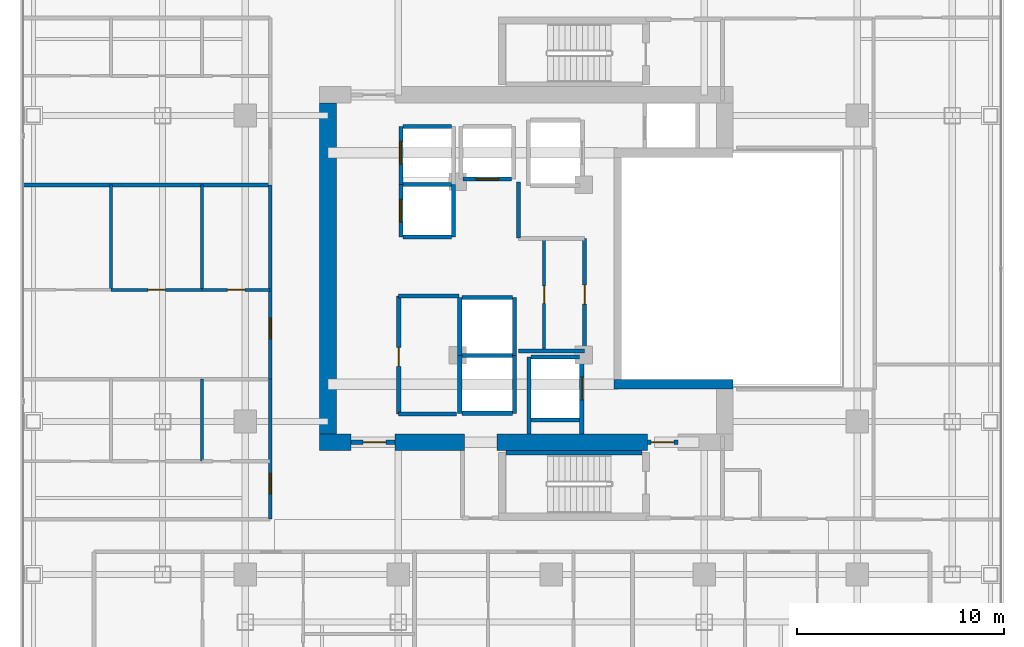
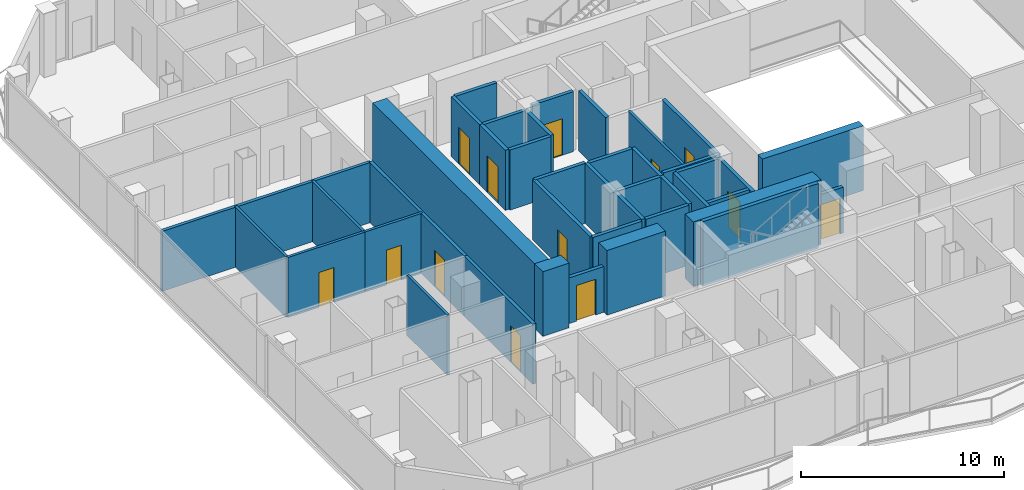
# One storey, part 20 of 26: 41 walls, 13 doors, 13 openings.
"""IFC4 building model written with IfcOpenShell, lengths in metres."""

from ifc_helpers import new_model, si_unit, direction, frame, frame_2d, origin, place, context, subcontext, project, spatial, rectangle, extrude, material, layer, layer_set, type_object, element, fill, save


model = new_model("IFC4")

# Units and contexts
model_context = context("Model", 3, precision=1e-05, world=origin(), true_north=direction((0.0, 1.0)))
body_context = subcontext(model_context, "Body", "Model", "MODEL_VIEW")
ifc_project = project(units=[si_unit("LENGTHUNIT", "METRE"), si_unit("AREAUNIT", "SQUARE_METRE"), si_unit("VOLUMEUNIT", "CUBIC_METRE"), si_unit("PLANEANGLEUNIT", "RADIAN"), si_unit("MASSUNIT", "GRAM", prefix="KILO")], contexts=[model_context])

# Site, building, storey
site_placement = place(None, origin())
site = spatial("IfcSite", under=ifc_project, at=site_placement, CompositionType="ELEMENT")
building_placement = place(site_placement, origin())
building = spatial("IfcBuilding", under=site, at=building_placement, Name="Khorvyn Point Tower", CompositionType="ELEMENT")
storey_placement = place(building_placement, frame((0.0, 0.0, 187.5)))
storey = spatial("IfcBuildingStorey", under=building, at=storey_placement, Name="L46", CompositionType="ELEMENT", Elevation=187.5)

# Wall, opening, door
ifc_material_1 = material(Name="Double acoustic gypsum on twin steel stud", Category="steel")
ifc_layer_1 = layer(ifc_material_1, 0.179931640625)
ifc_layer_set_1 = layer_set([ifc_layer_1], Name="Acoustic Double-Stud Apartment Demising Wall 180")
wall_type_1 = type_object("IfcWallType", Name="Acoustic Double-Stud Apartment Demising Wall 180", PredefinedType="PARTITIONING", material=ifc_layer_set_1)
wall_1_placement = place(storey_placement, frame((-13.60009765625, -12.1201171875, 0.0), z_axis=(0.0, 0.0, 1.0), x_axis=(0.0, 1.0, 0.0)))
wall_1 = element("IfcWall", 1, at=wall_1_placement, inside=storey, type_object=wall_type_1, Name="Wall", PredefinedType="PARTITIONING", context=body_context, shape_type="SweptSolid", body=[
    extrude(rectangle(XDim=6.77099609375, YDim=0.179931640625, at=frame_2d((3.385498046875, 0.0))), origin(), (0.0, 0.0, 1.0), 3.6201171875),
])
opening_1_placement = place(wall_1_placement, frame((1.215087890625, 0.0, 0.0)))
opening_1 = element("IfcOpeningElement", 2, at=opening_1_placement, cuts=wall_1, Name="Opening ID-AP60", PredefinedType="OPENING", context=body_context, shape_type="SweptSolid", body=[
    extrude(rectangle(XDim=1.0, YDim=2.199951171875, at=frame_2d((0.5, 1.10009765625))), frame((0.0, 0.099853515625, 0.0), z_axis=(0.0, -1.0, 0.0), x_axis=(1.0, 0.0, 0.0)), (0.0, 0.0, 1.0), 0.199951171875),
])
ifc_material_2 = material(Name="Engineered hardwood fire-rated leaf", Category="wood")
door_type_1 = type_object("IfcDoorType", Name="Acoustic Solid-Core Timber Apartment Entrance Door 1000x2200", OperationType="NOTDEFINED", PredefinedType="DOOR", material=ifc_material_2)
door_1_placement = place(opening_1_placement, origin())
door_1 = element("IfcDoor", 3, at=door_1_placement, inside=storey, type_object=door_type_1, Name="Door", OperationType="SINGLE_SWING_LEFT", OverallHeight=2.199951171875, OverallWidth=1.0, PredefinedType="DOOR", context=body_context, shape_type="SweptSolid", body=[
    extrude(rectangle(XDim=1.0, YDim=2.199951171875, at=frame_2d((0.5, 1.10009765625))), frame((0.0, 0.02490234375, 0.0), z_axis=(0.0, -1.0, 0.0), x_axis=(1.0, 0.0, 0.0)), (0.0, 0.0, 1.0), 0.050048828125),
])
fill(opening_1, door_1)

wall_2_placement = place(storey_placement, frame((-13.60009765625, -5.34912109375, 0.0), z_axis=(0.0, 0.0, 1.0), x_axis=(0.0, 1.0, 0.0)))
wall_2 = element("IfcWall", 4, at=wall_2_placement, inside=storey, type_object=wall_type_1, Name="Wall", PredefinedType="PARTITIONING", context=body_context, shape_type="SweptSolid", body=[
    extrude(rectangle(XDim=9.38916015625, YDim=0.179931640625, at=frame_2d((4.694580078125, 0.0))), origin(), (0.0, 0.0, 1.0), 3.6201171875),
])
opening_2_placement = place(wall_2_placement, frame((1.953125, 0.0, 0.0)))
opening_2 = element("IfcOpeningElement", 5, at=opening_2_placement, cuts=wall_2, Name="Opening ID-AP60", PredefinedType="OPENING", context=body_context, shape_type="SweptSolid", body=[
    extrude(rectangle(XDim=1.0, YDim=2.199951171875, at=frame_2d((0.5, 1.10009765625))), frame((0.0, 0.099853515625, 0.0), z_axis=(0.0, -1.0, 0.0), x_axis=(1.0, 0.0, 0.0)), (0.0, 0.0, 1.0), 0.199951171875),
])
door_2_placement = place(opening_2_placement, origin())
door_2 = element("IfcDoor", 6, at=door_2_placement, inside=storey, type_object=door_type_1, Name="Door", OperationType="SINGLE_SWING_LEFT", OverallHeight=2.199951171875, OverallWidth=1.0, PredefinedType="DOOR", context=body_context, shape_type="SweptSolid", body=[
    extrude(rectangle(XDim=1.0, YDim=2.199951171875, at=frame_2d((0.5, 1.10009765625))), frame((0.0, 0.02490234375, 0.0), z_axis=(0.0, -1.0, 0.0), x_axis=(1.0, 0.0, 0.0)), (0.0, 0.0, 1.0), 0.050048828125),
])
fill(opening_2, door_2)

# Walls
wall_3_placement = place(storey_placement, frame((-25.530029296875, 4.0400390625, 0.0), z_axis=(0.0, 0.0, 1.0), x_axis=(1.0, 0.0, 0.0)))
element("IfcWall", 7, at=wall_3_placement, inside=storey, type_object=wall_type_1, Name="Wall", PredefinedType="PARTITIONING", context=body_context, shape_type="SweptSolid", body=[
    extrude(rectangle(XDim=11.929931640625, YDim=0.179931640625, at=frame_2d((5.96484375, 0.0))), origin(), (0.0, 0.0, 1.0), 3.6201171875),
])
ifc_material_3 = material(Name="Concrete C40/50", Category="concrete")
ifc_layer_2 = layer(ifc_material_3, 0.449951171875)
ifc_layer_set_2 = layer_set([ifc_layer_2], Name="Concrete C40/50 Core Shear Wall 450")
wall_type_2 = type_object("IfcWallType", Name="Concrete C40/50 Core Shear Wall 450", PredefinedType="SHEAR", material=ifc_layer_set_2)
wall_4_placement = place(storey_placement, frame((3.044921875, -5.60009765625, 0.0), z_axis=(0.0, 0.0, 1.0), x_axis=(1.0, 0.0, 0.0)))
element("IfcWall", 8, at=wall_4_placement, inside=storey, type_object=wall_type_2, Name="Wall", PredefinedType="SHEAR", context=body_context, shape_type="SweptSolid", body=[
    extrude(rectangle(XDim=5.755126953125, YDim=0.449951171875, at=frame_2d((2.87744140625, 0.0))), origin(), (0.0, 0.0, 1.0), 3.89990234375),
])

# Wall, opening, door
ifc_layer_3 = layer(ifc_material_3, 0.199951171875)
ifc_layer_set_3 = layer_set([ifc_layer_3], Name="Concrete C40/50 Fire-Lobby Compartment Wall 200")
wall_type_3 = type_object("IfcWallType", Name="Concrete C40/50 Fire-Lobby Compartment Wall 200", PredefinedType="SOLIDWALL", material=ifc_layer_set_3)
wall_5_placement = place(storey_placement, frame((4.64990234375, -8.39990234375, 0.0), z_axis=(0.0, 0.0, 1.0), x_axis=(1.0, 0.0, 0.0)))
wall_5 = element("IfcWall", 9, at=wall_5_placement, inside=storey, type_object=wall_type_3, Name="Wall", PredefinedType="SOLIDWALL", context=body_context, shape_type="SweptSolid", body=[
    extrude(rectangle(XDim=1.47021484375, YDim=0.199951171875, at=frame_2d((0.735107421875, 0.0))), origin(), (0.0, 0.0, 1.0), 2.760009765625),
])
opening_3_placement = place(wall_5_placement, frame((0.18505859375, 0.0, 0.0)))
opening_3 = element("IfcOpeningElement", 10, at=opening_3_placement, cuts=wall_5, Name="Opening ID-FL90", PredefinedType="OPENING", context=body_context, shape_type="SweptSolid", body=[
    extrude(rectangle(XDim=1.10009765625, YDim=2.14990234375, at=frame_2d((0.550048828125, 1.074951171875))), frame((0.0, 0.10986328125, 0.0), z_axis=(0.0, -1.0, 0.0), x_axis=(1.0, 0.0, 0.0)), (0.0, 0.0, 1.0), 0.219970703125),
])
ifc_material_4 = material(Name="Galvanised powder-coated steel", Category="steel")
door_type_2 = type_object("IfcDoorType", Name="Fire-Rated Steel Lobby and Stair Door 1100x2150", OperationType="NOTDEFINED", PredefinedType="DOOR", material=ifc_material_4)
door_3_placement = place(opening_3_placement, origin())
door_3 = element("IfcDoor", 11, at=door_3_placement, inside=storey, type_object=door_type_2, Name="Door", OperationType="SINGLE_SWING_LEFT", OverallHeight=2.14990234375, OverallWidth=1.10009765625, PredefinedType="DOOR", context=body_context, shape_type="SweptSolid", body=[
    extrude(rectangle(XDim=1.10009765625, YDim=2.14990234375, at=frame_2d((0.550048828125, 1.074951171875))), frame((0.0, 0.02490234375, 0.0), z_axis=(0.0, -1.0, 0.0), x_axis=(1.0, 0.0, 0.0)), (0.0, 0.0, 1.0), 0.050048828125),
])
fill(opening_3, door_3)

wall_6_placement = place(storey_placement, frame((-9.699951171875, -8.39990234375, 0.0), z_axis=(0.0, 0.0, 1.0), x_axis=(1.0, 0.0, 0.0)))
wall_6 = element("IfcWall", 12, at=wall_6_placement, inside=storey, type_object=wall_type_3, Name="Wall", PredefinedType="SOLIDWALL", context=body_context, shape_type="SweptSolid", body=[
    extrude(rectangle(XDim=2.14990234375, YDim=0.199951171875, at=frame_2d((1.074951171875, 0.0))), origin(), (0.0, 0.0, 1.0), 2.760009765625),
])
opening_4_placement = place(wall_6_placement, frame((0.597900390625, 0.0, 0.0)))
opening_4 = element("IfcOpeningElement", 13, at=opening_4_placement, cuts=wall_6, Name="Opening ID-FL90", PredefinedType="OPENING", context=body_context, shape_type="SweptSolid", body=[
    extrude(rectangle(XDim=1.10009765625, YDim=2.14990234375, at=frame_2d((0.550048828125, 1.074951171875))), frame((0.0, 0.10986328125, 0.0), z_axis=(0.0, -1.0, 0.0), x_axis=(1.0, 0.0, 0.0)), (0.0, 0.0, 1.0), 0.219970703125),
])
door_4_placement = place(opening_4_placement, origin())
door_4 = element("IfcDoor", 14, at=door_4_placement, inside=storey, type_object=door_type_2, Name="Door", OperationType="SINGLE_SWING_LEFT", OverallHeight=2.14990234375, OverallWidth=1.10009765625, PredefinedType="DOOR", context=body_context, shape_type="SweptSolid", body=[
    extrude(rectangle(XDim=1.10009765625, YDim=2.14990234375, at=frame_2d((0.550048828125, 1.074951171875))), frame((0.0, 0.02490234375, 0.0), z_axis=(0.0, -1.0, 0.0), x_axis=(1.0, 0.0, 0.0)), (0.0, 0.0, 1.0), 0.050048828125),
])
fill(opening_4, door_4)

wall_7_placement = place(storey_placement, frame((1.610107421875, -3.97998046875, 0.0), z_axis=(0.0, 0.0, 1.0), x_axis=(0.0, 1.0, 0.0)))
wall_7 = element("IfcWall", 15, at=wall_7_placement, inside=storey, type_object=wall_type_3, Name="Wall", PredefinedType="SOLIDWALL", context=body_context, shape_type="SweptSolid", body=[
    extrude(rectangle(XDim=5.43994140625, YDim=0.199951171875, at=frame_2d((2.719970703125, 0.0))), origin(), (0.0, 0.0, 1.0), 3.6201171875),
])
opening_5_placement = place(wall_7_placement, frame((2.260009765625, 0.0, 0.0)))
opening_5 = element("IfcOpeningElement", 16, at=opening_5_placement, cuts=wall_7, Name="Opening ID-RS60", PredefinedType="OPENING", context=body_context, shape_type="SweptSolid", body=[
    extrude(rectangle(XDim=0.919921875, YDim=2.10009765625, at=frame_2d((0.4599609375, 1.050048828125))), frame((0.0, 0.10986328125, 0.0), z_axis=(0.0, -1.0, 0.0), x_axis=(1.0, 0.0, 0.0)), (0.0, 0.0, 1.0), 0.219970703125),
])
door_type_3 = type_object("IfcDoorType", Name="Fire-Rated Riser and Store Steel Door 920x2100", OperationType="NOTDEFINED", PredefinedType="DOOR", material=ifc_material_4)
door_5_placement = place(opening_5_placement, origin())
door_5 = element("IfcDoor", 17, at=door_5_placement, inside=storey, type_object=door_type_3, Name="Door", OperationType="SINGLE_SWING_LEFT", OverallHeight=2.10009765625, OverallWidth=0.919921875, PredefinedType="DOOR", context=body_context, shape_type="SweptSolid", body=[
    extrude(rectangle(XDim=0.919921875, YDim=2.10009765625, at=frame_2d((0.4599609375, 1.050048828125))), frame((0.0, 0.02490234375, 0.0), z_axis=(0.0, -1.0, 0.0), x_axis=(1.0, 0.0, 0.0)), (0.0, 0.0, 1.0), 0.050048828125),
])
fill(opening_5, door_5)

wall_8_placement = place(storey_placement, frame((-7.3798828125, -7.0400390625, 0.0), z_axis=(0.0, 0.0, 1.0), x_axis=(0.0, 1.0, 0.0)))
wall_8 = element("IfcWall", 18, at=wall_8_placement, inside=storey, type_object=wall_type_3, Name="Wall", PredefinedType="SOLIDWALL", context=body_context, shape_type="SweptSolid", body=[
    extrude(rectangle(XDim=5.719970703125, YDim=0.199951171875, at=frame_2d((2.85986328125, 0.0))), origin(), (0.0, 0.0, 1.0), 3.6201171875),
])
opening_6_placement = place(wall_8_placement, frame((2.310302734375, 0.0, 0.0)))
opening_6 = element("IfcOpeningElement", 19, at=opening_6_placement, cuts=wall_8, Name="Opening ID-RS60", PredefinedType="OPENING", context=body_context, shape_type="SweptSolid", body=[
    extrude(rectangle(XDim=0.919921875, YDim=2.10009765625, at=frame_2d((0.4599609375, 1.050048828125))), frame((0.0, 0.10986328125, 0.0), z_axis=(0.0, -1.0, 0.0), x_axis=(1.0, 0.0, 0.0)), (0.0, 0.0, 1.0), 0.219970703125),
])
door_6_placement = place(opening_6_placement, origin())
door_6 = element("IfcDoor", 20, at=door_6_placement, inside=storey, type_object=door_type_3, Name="Door", OperationType="SINGLE_SWING_RIGHT", OverallHeight=2.10009765625, OverallWidth=0.919921875, PredefinedType="DOOR", context=body_context, shape_type="SweptSolid", body=[
    extrude(rectangle(XDim=0.919921875, YDim=2.10009765625, at=frame_2d((0.4599609375, 1.050048828125))), frame((0.0, 0.02490234375, 0.0), z_axis=(0.0, -1.0, 0.0), x_axis=(1.0, 0.0, 0.0)), (0.0, 0.0, 1.0), 0.050048828125),
])
fill(opening_6, door_6)

# Walls
wall_9_placement = place(storey_placement, frame((-7.3798828125, -1.320068359375, 0.0), z_axis=(0.0, 0.0, 1.0), x_axis=(1.0, 0.0, 0.0)))
element("IfcWall", 21, at=wall_9_placement, inside=storey, type_object=wall_type_3, Name="Wall", PredefinedType="SOLIDWALL", context=body_context, shape_type="SweptSolid", body=[
    extrude(rectangle(XDim=2.909912109375, YDim=0.199951171875, at=frame_2d((1.455078125, 0.0))), origin(), (0.0, 0.0, 1.0), 3.6201171875),
])
wall_10_placement = place(storey_placement, frame((-1.580078125, 1.47998046875, 0.0), z_axis=(0.0, 0.0, 1.0), x_axis=(0.0, 1.0, 0.0)))
element("IfcWall", 22, at=wall_10_placement, inside=storey, type_object=wall_type_3, Name="Wall", PredefinedType="SOLIDWALL", context=body_context, shape_type="SweptSolid", body=[
    extrude(rectangle(XDim=2.699951171875, YDim=0.199951171875, at=frame_2d((1.35009765625, 0.0))), origin(), (0.0, 0.0, 1.0), 3.6201171875),
])
wall_11_placement = place(storey_placement, frame((-1.580078125, -3.97998046875, 0.0), z_axis=(0.0, 0.0, 1.0), x_axis=(1.0, 0.0, 0.0)))
element("IfcWall", 23, at=wall_11_placement, inside=storey, type_object=wall_type_3, Name="Wall", PredefinedType="SOLIDWALL", context=body_context, shape_type="SweptSolid", body=[
    extrude(rectangle(XDim=3.190185546875, YDim=0.199951171875, at=frame_2d((1.59521484375, 0.0))), origin(), (0.0, 0.0, 1.0), 3.6201171875),
])
wall_12_placement = place(storey_placement, frame((-7.3798828125, -7.0400390625, 0.0), z_axis=(0.0, 0.0, 1.0), x_axis=(1.0, 0.0, 0.0)))
element("IfcWall", 24, at=wall_12_placement, inside=storey, type_object=wall_type_3, Name="Wall", PredefinedType="SOLIDWALL", context=body_context, shape_type="SweptSolid", body=[
    extrude(rectangle(XDim=2.7998046875, YDim=0.199951171875, at=frame_2d((1.39990234375, 0.0))), origin(), (0.0, 0.0, 1.0), 3.6201171875),
])
ifc_layer_4 = layer(ifc_material_3, 0.25)
ifc_layer_set_4 = layer_set([ifc_layer_4], Name="Concrete C40/50 Stair Inner Cheek Structural Wall 250")
wall_type_4 = type_object("IfcWallType", Name="Concrete C40/50 Stair Inner Cheek Structural Wall 250", PredefinedType="SHEAR", material=ifc_layer_set_4)
wall_13_placement = place(storey_placement, frame((-2.199951171875, -8.91259765625, 0.0), z_axis=(0.0, 0.0, 1.0), x_axis=(1.0, 0.0, 0.0)))
element("IfcWall", 25, at=wall_13_placement, inside=storey, type_object=wall_type_4, Name="Wall", PredefinedType="SHEAR", context=body_context, shape_type="SweptSolid", body=[
    extrude(rectangle(XDim=6.599853515625, YDim=0.22509765625, at=frame_2d((3.2998046875, 0.0))), origin(), (0.0, 0.0, 1.0), 3.89990234375),
])

# Wall, opening, door
ifc_layer_5 = layer(ifc_material_3, 0.199951171875)
ifc_layer_set_5 = layer_set([ifc_layer_5], Name="Concrete C40/50 Structural Hoistway and Stair Shaft Wall 200")
wall_type_5 = type_object("IfcWallType", Name="Concrete C40/50 Structural Hoistway and Stair Shaft Wall 200", PredefinedType="SHEAR", material=ifc_layer_set_5)
wall_14_placement = place(storey_placement, frame((-7.27490234375, 1.52490234375, 0.0), z_axis=(0.0, 0.0, 1.0), x_axis=(0.0, 1.0, 0.0)))
wall_14 = element("IfcWall", 26, at=wall_14_placement, inside=storey, type_object=wall_type_5, Name="Wall", PredefinedType="SHEAR", context=body_context, shape_type="SweptSolid", body=[
    extrude(rectangle(XDim=2.550048828125, YDim=0.199951171875, at=frame_2d((1.27490234375, 0.0))), origin(), (0.0, 0.0, 1.0), 3.6201171875),
])
opening_7_placement = place(wall_14_placement, frame((0.72509765625, 0.0, 0.0)))
opening_7 = element("IfcOpeningElement", 27, at=opening_7_placement, cuts=wall_14, Name="Opening LD-1122", PredefinedType="OPENING", context=body_context, shape_type="SweptSolid", body=[
    extrude(rectangle(XDim=1.10009765625, YDim=2.199951171875, at=frame_2d((0.550048828125, 1.10009765625))), frame((0.0, 0.10986328125, 0.0), z_axis=(0.0, -1.0, 0.0), x_axis=(1.0, 0.0, 0.0)), (0.0, 0.0, 1.0), 0.219970703125),
])
ifc_material_5 = material(Name="Stainless steel 1.4301", Category="steel")
door_type_4 = type_object("IfcDoorType", Name="Stainless Steel Automatic Sliding Lift Landing Door 1100x2200", OperationType="SLIDING_TO_LEFT", PredefinedType="DOOR", material=ifc_material_5)
door_7_placement = place(opening_7_placement, origin())
door_7 = element("IfcDoor", 28, at=door_7_placement, inside=storey, type_object=door_type_4, Name="L46 RM-01 Sliding Lift Landing Door", OperationType="SLIDING_TO_LEFT", OverallHeight=2.199951171875, OverallWidth=1.10009765625, PredefinedType="DOOR", context=body_context, shape_type="SweptSolid", body=[
    extrude(rectangle(XDim=1.10009765625, YDim=2.199951171875, at=frame_2d((0.550048828125, 1.10009765625))), frame((0.0, 0.02490234375, 0.0), z_axis=(0.0, -1.0, 0.0), x_axis=(1.0, 0.0, 0.0)), (0.0, 0.0, 1.0), 0.050048828125),
])
fill(opening_7, door_7)

# Walls
wall_15_placement = place(storey_placement, frame((-4.72509765625, 1.52490234375, 0.0), z_axis=(0.0, 0.0, 1.0), x_axis=(0.0, 1.0, 0.0)))
element("IfcWall", 29, at=wall_15_placement, inside=storey, type_object=wall_type_5, Name="Wall", PredefinedType="SHEAR", context=body_context, shape_type="SweptSolid", body=[
    extrude(rectangle(XDim=2.550048828125, YDim=0.199951171875, at=frame_2d((1.27490234375, 0.0))), origin(), (0.0, 0.0, 1.0), 3.6201171875),
])
for number, where, z_axis, x_axis, name in (
    (30, (-7.175048828125, 1.52490234375, 0.0), (0.0, 0.0, 1.0), (1.0, 0.0, 0.0), "Wall"),
    (31, (-7.175048828125, 4.074951171875, 0.0), (0.0, 0.0, 1.0), (1.0, 0.0, 0.0), "Wall"),
):
    element("IfcWall", number, at=place(storey_placement, frame(where, z_axis=z_axis, x_axis=x_axis)), inside=storey, type_object=wall_type_5, Name=name, PredefinedType="SHEAR", context=body_context, shape_type="SweptSolid", body=[
        extrude(rectangle(XDim=2.35009765625, YDim=0.199951171875, at=frame_2d((1.175048828125, 0.0))), origin(), (0.0, 0.0, 1.0), 3.6201171875),
    ])

# Wall, opening, door
wall_16_placement = place(storey_placement, frame((-7.27490234375, 4.074951171875, 0.0), z_axis=(0.0, 0.0, 1.0), x_axis=(0.0, 1.0, 0.0)))
wall_16 = element("IfcWall", 32, at=wall_16_placement, inside=storey, type_object=wall_type_5, Name="Wall", PredefinedType="SHEAR", context=body_context, shape_type="SweptSolid", body=[
    extrude(rectangle(XDim=2.800048828125, YDim=0.199951171875, at=frame_2d((1.39990234375, 0.0))), origin(), (0.0, 0.0, 1.0), 3.6201171875),
])
opening_8_placement = place(wall_16_placement, frame((0.97509765625, 0.0, 0.0)))
opening_8 = element("IfcOpeningElement", 33, at=opening_8_placement, cuts=wall_16, Name="Opening LD-1122", PredefinedType="OPENING", context=body_context, shape_type="SweptSolid", body=[
    extrude(rectangle(XDim=1.10009765625, YDim=2.199951171875, at=frame_2d((0.550048828125, 1.10009765625))), frame((0.0, 0.10986328125, 0.0), z_axis=(0.0, -1.0, 0.0), x_axis=(1.0, 0.0, 0.0)), (0.0, 0.0, 1.0), 0.219970703125),
])
door_8_placement = place(opening_8_placement, origin())
door_8 = element("IfcDoor", 34, at=door_8_placement, inside=storey, type_object=door_type_4, Name="L46 RM-02 Sliding Lift Landing Door", OperationType="SLIDING_TO_LEFT", OverallHeight=2.199951171875, OverallWidth=1.10009765625, PredefinedType="DOOR", context=body_context, shape_type="SweptSolid", body=[
    extrude(rectangle(XDim=1.10009765625, YDim=2.199951171875, at=frame_2d((0.550048828125, 1.10009765625))), frame((0.0, 0.02490234375, 0.0), z_axis=(0.0, -1.0, 0.0), x_axis=(1.0, 0.0, 0.0)), (0.0, 0.0, 1.0), 0.050048828125),
])
fill(opening_8, door_8)

# Wall
wall_17_placement = place(storey_placement, frame((-7.175048828125, 6.875, 0.0), z_axis=(0.0, 0.0, 1.0), x_axis=(1.0, 0.0, 0.0)))
element("IfcWall", 35, at=wall_17_placement, inside=storey, type_object=wall_type_5, Name="Wall", PredefinedType="SHEAR", context=body_context, shape_type="SweptSolid", body=[
    extrude(rectangle(XDim=2.35009765625, YDim=0.199951171875, at=frame_2d((1.175048828125, 0.0))), origin(), (0.0, 0.0, 1.0), 3.6201171875),
])

# Wall, opening, door
wall_18_placement = place(storey_placement, frame((-4.27490234375, 4.324951171875, 0.0), z_axis=(0.0, 0.0, 1.0), x_axis=(1.0, 0.0, 0.0)))
wall_18 = element("IfcWall", 36, at=wall_18_placement, inside=storey, type_object=wall_type_5, Name="Wall", PredefinedType="SHEAR", context=body_context, shape_type="SweptSolid", body=[
    extrude(rectangle(XDim=2.349853515625, YDim=0.199951171875, at=frame_2d((1.1748046875, 0.0))), origin(), (0.0, 0.0, 1.0), 3.6201171875),
])
opening_9_placement = place(wall_18_placement, frame((0.625, 0.0, 0.0)))
opening_9 = element("IfcOpeningElement", 37, at=opening_9_placement, cuts=wall_18, Name="Opening LD-1122", PredefinedType="OPENING", context=body_context, shape_type="SweptSolid", body=[
    extrude(rectangle(XDim=1.10009765625, YDim=2.199951171875, at=frame_2d((0.550048828125, 1.10009765625))), frame((0.0, 0.10986328125, 0.0), z_axis=(0.0, -1.0, 0.0), x_axis=(1.0, 0.0, 0.0)), (0.0, 0.0, 1.0), 0.219970703125),
])
door_9_placement = place(opening_9_placement, origin())
door_9 = element("IfcDoor", 38, at=door_9_placement, inside=storey, type_object=door_type_4, Name="L46 RM-03 Sliding Lift Landing Door", OperationType="SLIDING_TO_LEFT", OverallHeight=2.199951171875, OverallWidth=1.10009765625, PredefinedType="DOOR", context=body_context, shape_type="SweptSolid", body=[
    extrude(rectangle(XDim=1.10009765625, YDim=2.199951171875, at=frame_2d((0.550048828125, 1.10009765625))), frame((0.0, 0.02490234375, 0.0), z_axis=(0.0, -1.0, 0.0), x_axis=(1.0, 0.0, 0.0)), (0.0, 0.0, 1.0), 0.050048828125),
])
fill(opening_9, door_9)

# Walls
for number, where, z_axis, x_axis, name in (
    (39, (-4.425048828125, -7.0, 0.0), (0.0, 0.0, 1.0), (0.0, 1.0, 0.0), "Wall"),
    (40, (-1.77490234375, -7.0, 0.0), (0.0, 0.0, 1.0), (0.0, 1.0, 0.0), "Wall"),
):
    element("IfcWall", number, at=place(storey_placement, frame(where, z_axis=z_axis, x_axis=x_axis)), inside=storey, type_object=wall_type_5, Name=name, PredefinedType="SHEAR", context=body_context, shape_type="SweptSolid", body=[
        extrude(rectangle(XDim=2.800048828125, YDim=0.199951171875, at=frame_2d((1.39990234375, 0.0))), origin(), (0.0, 0.0, 1.0), 3.6201171875),
    ])
for number, where, z_axis, x_axis, name in (
    (41, (-4.324951171875, -7.0, 0.0), (0.0, 0.0, 1.0), (1.0, 0.0, 0.0), "Wall"),
    (42, (-4.324951171875, -4.199951171875, 0.0), (0.0, 0.0, 1.0), (1.0, 0.0, 0.0), "Wall"),
):
    element("IfcWall", number, at=place(storey_placement, frame(where, z_axis=z_axis, x_axis=x_axis)), inside=storey, type_object=wall_type_5, Name=name, PredefinedType="SHEAR", context=body_context, shape_type="SweptSolid", body=[
        extrude(rectangle(XDim=2.449951171875, YDim=0.199951171875, at=frame_2d((1.22509765625, 0.0))), origin(), (0.0, 0.0, 1.0), 3.6201171875),
    ])
for number, where, z_axis, x_axis, name in (
    (43, (-4.425048828125, -4.199951171875, 0.0), (0.0, 0.0, 1.0), (0.0, 1.0, 0.0), "Wall"),
    (44, (-1.77490234375, -4.199951171875, 0.0), (0.0, 0.0, 1.0), (0.0, 1.0, 0.0), "Wall"),
):
    element("IfcWall", number, at=place(storey_placement, frame(where, z_axis=z_axis, x_axis=x_axis)), inside=storey, type_object=wall_type_5, Name=name, PredefinedType="SHEAR", context=body_context, shape_type="SweptSolid", body=[
        extrude(rectangle(XDim=2.800048828125, YDim=0.199951171875, at=frame_2d((1.39990234375, 0.0))), origin(), (0.0, 0.0, 1.0), 3.6201171875),
    ])
wall_19_placement = place(storey_placement, frame((-4.324951171875, -1.39990234375, 0.0), z_axis=(0.0, 0.0, 1.0), x_axis=(1.0, 0.0, 0.0)))
element("IfcWall", 45, at=wall_19_placement, inside=storey, type_object=wall_type_5, Name="Wall", PredefinedType="SHEAR", context=body_context, shape_type="SweptSolid", body=[
    extrude(rectangle(XDim=2.449951171875, YDim=0.199951171875, at=frame_2d((1.22509765625, 0.0))), origin(), (0.0, 0.0, 1.0), 3.6201171875),
])
wall_20_placement = place(storey_placement, frame((-1.074951171875, -8.0, 0.0), z_axis=(0.0, 0.0, 1.0), x_axis=(0.0, 1.0, 0.0)))
element("IfcWall", 46, at=wall_20_placement, inside=storey, type_object=wall_type_5, Name="Wall", PredefinedType="SHEAR", context=body_context, shape_type="SweptSolid", body=[
    extrude(rectangle(XDim=3.72509765625, YDim=0.199951171875, at=frame_2d((1.862548828125, 0.0))), origin(), (0.0, 0.0, 1.0), 3.6201171875),
])

# Wall, opening, door
wall_21_placement = place(storey_placement, frame((1.47509765625, -8.0, 0.0), z_axis=(0.0, 0.0, 1.0), x_axis=(0.0, 1.0, 0.0)))
wall_21 = element("IfcWall", 47, at=wall_21_placement, inside=storey, type_object=wall_type_5, Name="Wall", PredefinedType="SHEAR", context=body_context, shape_type="SweptSolid", body=[
    extrude(rectangle(XDim=3.72509765625, YDim=0.199951171875, at=frame_2d((1.862548828125, 0.0))), origin(), (0.0, 0.0, 1.0), 3.6201171875),
])
opening_10_placement = place(wall_21_placement, frame((1.64990234375, 0.0, 0.0)))
opening_10 = element("IfcOpeningElement", 48, at=opening_10_placement, cuts=wall_21, Name="Opening LD-1122", PredefinedType="OPENING", context=body_context, shape_type="SweptSolid", body=[
    extrude(rectangle(XDim=1.10009765625, YDim=2.199951171875, at=frame_2d((0.550048828125, 1.10009765625))), frame((0.0, 0.10986328125, 0.0), z_axis=(0.0, -1.0, 0.0), x_axis=(1.0, 0.0, 0.0)), (0.0, 0.0, 1.0), 0.219970703125),
])
door_10_placement = place(opening_10_placement, origin())
door_10 = element("IfcDoor", 49, at=door_10_placement, inside=storey, type_object=door_type_4, Name="L46 FF-01 Sliding Lift Landing Door", OperationType="SLIDING_TO_LEFT", OverallHeight=2.199951171875, OverallWidth=1.10009765625, PredefinedType="DOOR", context=body_context, shape_type="SweptSolid", body=[
    extrude(rectangle(XDim=1.10009765625, YDim=2.199951171875, at=frame_2d((0.550048828125, 1.10009765625))), frame((0.0, 0.02490234375, 0.0), z_axis=(0.0, -1.0, 0.0), x_axis=(1.0, 0.0, 0.0)), (0.0, 0.0, 1.0), 0.050048828125),
])
fill(opening_10, door_10)

# Walls
for number, where, z_axis, x_axis, name in (
    (50, (-0.97509765625, -7.324951171875, 0.0), (0.0, 0.0, 1.0), (1.0, 0.0, 0.0), "Wall"),
    (51, (-0.97509765625, -4.27490234375, 0.0), (0.0, 0.0, 1.0), (1.0, 0.0, 0.0), "Wall"),
):
    element("IfcWall", number, at=place(storey_placement, frame(where, z_axis=z_axis, x_axis=x_axis)), inside=storey, type_object=wall_type_5, Name=name, PredefinedType="SHEAR", context=body_context, shape_type="SweptSolid", body=[
        extrude(rectangle(XDim=2.35009765625, YDim=0.199951171875, at=frame_2d((1.175048828125, 0.0))), origin(), (0.0, 0.0, 1.0), 3.6201171875),
    ])
ifc_material_6 = material(Name="Concrete C45/55", Category="concrete")
ifc_layer_6 = layer(ifc_material_6, 0.800048828125)
ifc_layer_set_6 = layer_set([ifc_layer_6], Name="Concrete C45/55 Core Shear Wall 800")
wall_type_6 = type_object("IfcWallType", Name="Concrete C45/55 Core Shear Wall 800", PredefinedType="SHEAR", material=ifc_layer_set_6)
wall_22_placement = place(storey_placement, frame((-11.199951171875, -8.39990234375, 0.0), z_axis=(0.0, 0.0, 1.0), x_axis=(1.0, 0.0, 0.0)))
element("IfcWall", 52, at=wall_22_placement, inside=storey, type_object=wall_type_6, Name="Wall", PredefinedType="SHEAR", context=body_context, shape_type="SweptSolid", body=[
    extrude(rectangle(XDim=1.5, YDim=0.800048828125, at=frame_2d((0.75, 0.0))), origin(), (0.0, 0.0, 1.0), 3.89990234375),
])
wall_23_placement = place(storey_placement, frame((-7.550048828125, -8.39990234375, 0.0), z_axis=(0.0, 0.0, 1.0), x_axis=(1.0, 0.0, 0.0)))
element("IfcWall", 53, at=wall_23_placement, inside=storey, type_object=wall_type_6, Name="Wall", PredefinedType="SHEAR", context=body_context, shape_type="SweptSolid", body=[
    extrude(rectangle(XDim=3.35009765625, YDim=0.800048828125, at=frame_2d((1.675048828125, 0.0))), origin(), (0.0, 0.0, 1.0), 3.89990234375),
])
wall_24_placement = place(storey_placement, frame((-2.6201171875, -8.39990234375, 0.0), z_axis=(0.0, 0.0, 1.0), x_axis=(1.0, 0.0, 0.0)))
element("IfcWall", 54, at=wall_24_placement, inside=storey, type_object=wall_type_6, Name="Wall", PredefinedType="SHEAR", context=body_context, shape_type="SweptSolid", body=[
    extrude(rectangle(XDim=7.27001953125, YDim=0.800048828125, at=frame_2d((3.635009765625, 0.0))), origin(), (0.0, 0.0, 1.0), 3.89990234375),
])
wall_25_placement = place(storey_placement, frame((-10.800048828125, -8.0, 0.0), z_axis=(0.0, 0.0, 1.0), x_axis=(0.0, 1.0, 0.0)))
element("IfcWall", 55, at=wall_25_placement, inside=storey, type_object=wall_type_6, Name="Wall", PredefinedType="SHEAR", context=body_context, shape_type="SweptSolid", body=[
    extrude(rectangle(XDim=16.0, YDim=0.800048828125, at=frame_2d((8.0, 0.0))), origin(), (0.0, 0.0, 1.0), 3.89990234375),
])

# Wall, opening, door
ifc_material_7 = material(Name="Moisture-resistant gypsum and cement board", Category="gypsum")
ifc_layer_7 = layer(ifc_material_7, 0.14990234375)
ifc_layer_set_7 = layer_set([ifc_layer_7], Name="Moisture-Resistant Wet-Room Partition Wall 150")
wall_type_7 = type_object("IfcWallType", Name="Moisture-Resistant Wet-Room Partition Wall 150", PredefinedType="PARTITIONING", material=ifc_layer_set_7)
wall_26_placement = place(storey_placement, frame((-0.35009765625, -3.97998046875, 0.0), z_axis=(0.0, 0.0, 1.0), x_axis=(0.0, 1.0, 0.0)))
wall_26 = element("IfcWall", 56, at=wall_26_placement, inside=storey, type_object=wall_type_7, Name="Wall", PredefinedType="PARTITIONING", context=body_context, shape_type="SweptSolid", body=[
    extrude(rectangle(XDim=5.43994140625, YDim=0.14990234375, at=frame_2d((2.719970703125, 0.0))), origin(), (0.0, 0.0, 1.0), 3.6201171875),
])
opening_11_placement = place(wall_26_placement, frame((2.294921875, 0.0, 0.0)))
opening_11 = element("IfcOpeningElement", 57, at=opening_11_placement, cuts=wall_26, Name="Opening ID-WC85", PredefinedType="OPENING", context=body_context, shape_type="SweptSolid", body=[
    extrude(rectangle(XDim=0.85009765625, YDim=2.10009765625, at=frame_2d((0.425048828125, 1.050048828125))), frame((0.0, 0.0849609375, 0.0), z_axis=(0.0, -1.0, 0.0), x_axis=(1.0, 0.0, 0.0)), (0.0, 0.0, 1.0), 0.169921875),
])
ifc_material_8 = material(Name="High-pressure laminate on moisture-resistant core", Category="wood")
door_type_5 = type_object("IfcDoorType", Name="Moisture-Resistant Accessible Washroom Door 850x2100", OperationType="NOTDEFINED", PredefinedType="DOOR", material=ifc_material_8)
door_11_placement = place(opening_11_placement, origin())
door_11 = element("IfcDoor", 58, at=door_11_placement, inside=storey, type_object=door_type_5, Name="Door", OperationType="SINGLE_SWING_RIGHT", OverallHeight=2.10009765625, OverallWidth=0.85009765625, PredefinedType="DOOR", context=body_context, shape_type="SweptSolid", body=[
    extrude(rectangle(XDim=0.85009765625, YDim=2.10009765625, at=frame_2d((0.425048828125, 1.050048828125))), frame((0.0, 0.02490234375, 0.0), z_axis=(0.0, -1.0, 0.0), x_axis=(1.0, 0.0, 0.0)), (0.0, 0.0, 1.0), 0.050048828125),
])
fill(opening_11, door_11)

wall_27_placement = place(storey_placement, frame((-21.2900390625, -1.030029296875, 0.0), z_axis=(0.0, 0.0, 1.0), x_axis=(1.0, 0.0, 0.0)))
wall_27 = element("IfcWall", 59, at=wall_27_placement, inside=storey, type_object=wall_type_7, Name="Wall", PredefinedType="PARTITIONING", context=body_context, shape_type="SweptSolid", body=[
    extrude(rectangle(XDim=4.39697265625, YDim=0.14990234375, at=frame_2d((2.198486328125, 0.0))), origin(), (0.0, 0.0, 1.0), 3.6201171875),
])
opening_12_placement = place(wall_27_placement, frame((1.7734375, 0.0, 0.0)))
opening_12 = element("IfcOpeningElement", 60, at=opening_12_placement, cuts=wall_27, Name="Opening ID-WC85", PredefinedType="OPENING", context=body_context, shape_type="SweptSolid", body=[
    extrude(rectangle(XDim=0.85009765625, YDim=2.10009765625, at=frame_2d((0.425048828125, 1.050048828125))), frame((0.0, 0.0849609375, 0.0), z_axis=(0.0, -1.0, 0.0), x_axis=(1.0, 0.0, 0.0)), (0.0, 0.0, 1.0), 0.169921875),
])
door_12_placement = place(opening_12_placement, origin())
door_12 = element("IfcDoor", 61, at=door_12_placement, inside=storey, type_object=door_type_5, Name="Door", OperationType="SINGLE_SWING_RIGHT", OverallHeight=2.10009765625, OverallWidth=0.85009765625, PredefinedType="DOOR", context=body_context, shape_type="SweptSolid", body=[
    extrude(rectangle(XDim=0.85009765625, YDim=2.10009765625, at=frame_2d((0.425048828125, 1.050048828125))), frame((0.0, 0.02490234375, 0.0), z_axis=(0.0, -1.0, 0.0), x_axis=(1.0, 0.0, 0.0)), (0.0, 0.0, 1.0), 0.050048828125),
])
fill(opening_12, door_12)

wall_28_placement = place(storey_placement, frame((-16.89306640625, -1.030029296875, 0.0), z_axis=(0.0, 0.0, 1.0), x_axis=(1.0, 0.0, 0.0)))
wall_28 = element("IfcWall", 62, at=wall_28_placement, inside=storey, type_object=wall_type_7, Name="Wall", PredefinedType="PARTITIONING", context=body_context, shape_type="SweptSolid", body=[
    extrude(rectangle(XDim=3.29296875, YDim=0.14990234375, at=frame_2d((1.646484375, 0.0))), origin(), (0.0, 0.0, 1.0), 3.6201171875),
])
opening_13_placement = place(wall_28_placement, frame((1.221435546875, 0.0, 0.0)))
opening_13 = element("IfcOpeningElement", 63, at=opening_13_placement, cuts=wall_28, Name="Opening ID-WC85", PredefinedType="OPENING", context=body_context, shape_type="SweptSolid", body=[
    extrude(rectangle(XDim=0.85009765625, YDim=2.10009765625, at=frame_2d((0.425048828125, 1.050048828125))), frame((0.0, 0.0849609375, 0.0), z_axis=(0.0, -1.0, 0.0), x_axis=(1.0, 0.0, 0.0)), (0.0, 0.0, 1.0), 0.169921875),
])
door_13_placement = place(opening_13_placement, origin())
door_13 = element("IfcDoor", 64, at=door_13_placement, inside=storey, type_object=door_type_5, Name="Door", OperationType="SINGLE_SWING_LEFT", OverallHeight=2.10009765625, OverallWidth=0.85009765625, PredefinedType="DOOR", context=body_context, shape_type="SweptSolid", body=[
    extrude(rectangle(XDim=0.85009765625, YDim=2.10009765625, at=frame_2d((0.425048828125, 1.050048828125))), frame((0.0, 0.02490234375, 0.0), z_axis=(0.0, -1.0, 0.0), x_axis=(1.0, 0.0, 0.0)), (0.0, 0.0, 1.0), 0.050048828125),
])
fill(opening_13, door_13)

# Walls
wall_29_placement = place(storey_placement, frame((-16.89306640625, -9.320068359375, 0.0), z_axis=(0.0, 0.0, 1.0), x_axis=(0.0, 1.0, 0.0)))
element("IfcWall", 65, at=wall_29_placement, inside=storey, type_object=wall_type_7, Name="Wall", PredefinedType="PARTITIONING", context=body_context, shape_type="SweptSolid", body=[
    extrude(rectangle(XDim=3.970947265625, YDim=0.14990234375, at=frame_2d((1.9853515625, 0.0))), origin(), (0.0, 0.0, 1.0), 3.6201171875),
])
for number, where, z_axis, x_axis, name in (
    (66, (-16.89306640625, -1.030029296875, 0.0), (0.0, 0.0, 1.0), (0.0, 1.0, 0.0), "Wall"),
    (67, (-21.2900390625, -1.030029296875, 0.0), (0.0, 0.0, 1.0), (0.0, 1.0, 0.0), "Wall"),
):
    element("IfcWall", number, at=place(storey_placement, frame(where, z_axis=z_axis, x_axis=x_axis)), inside=storey, type_object=wall_type_7, Name=name, PredefinedType="PARTITIONING", context=body_context, shape_type="SweptSolid", body=[
        extrude(rectangle(XDim=5.070068359375, YDim=0.14990234375, at=frame_2d((2.53515625, 0.0))), origin(), (0.0, 0.0, 1.0), 3.6201171875),
    ])

save(model, "model.ifc")
